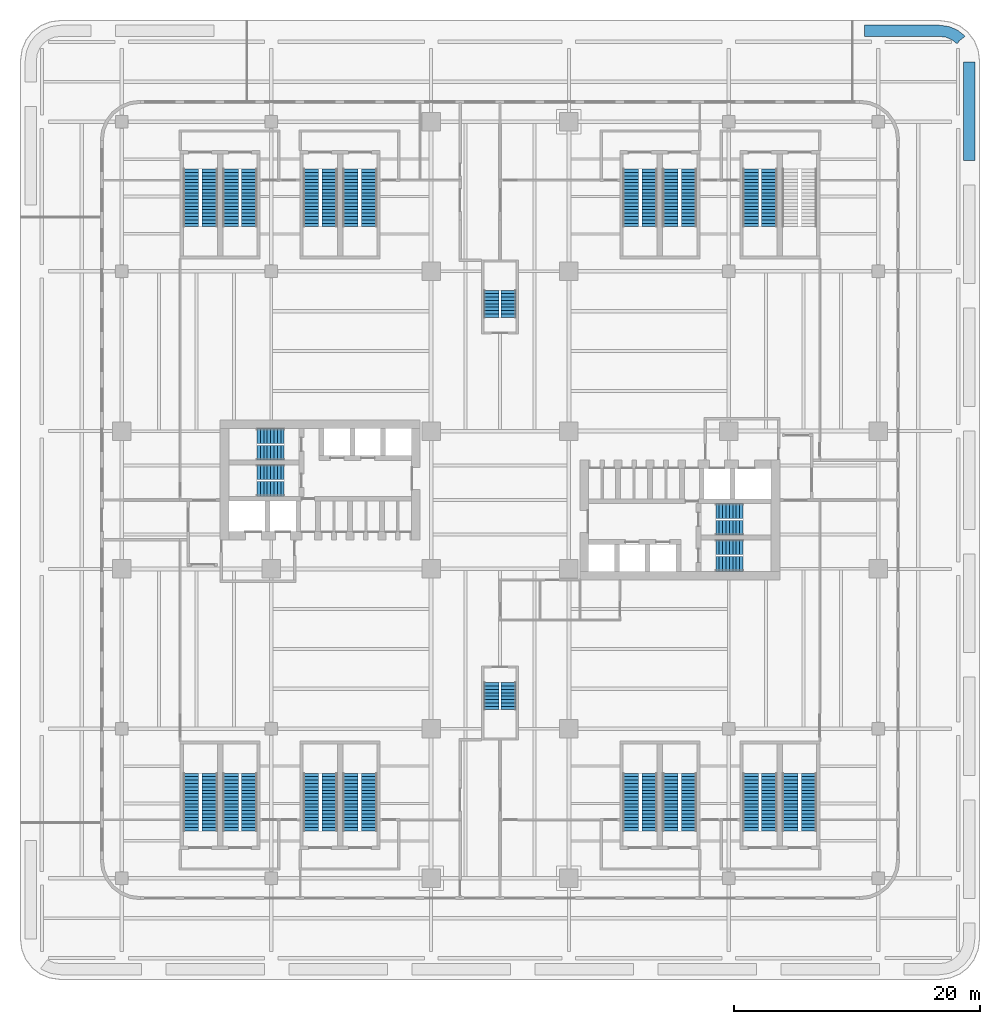
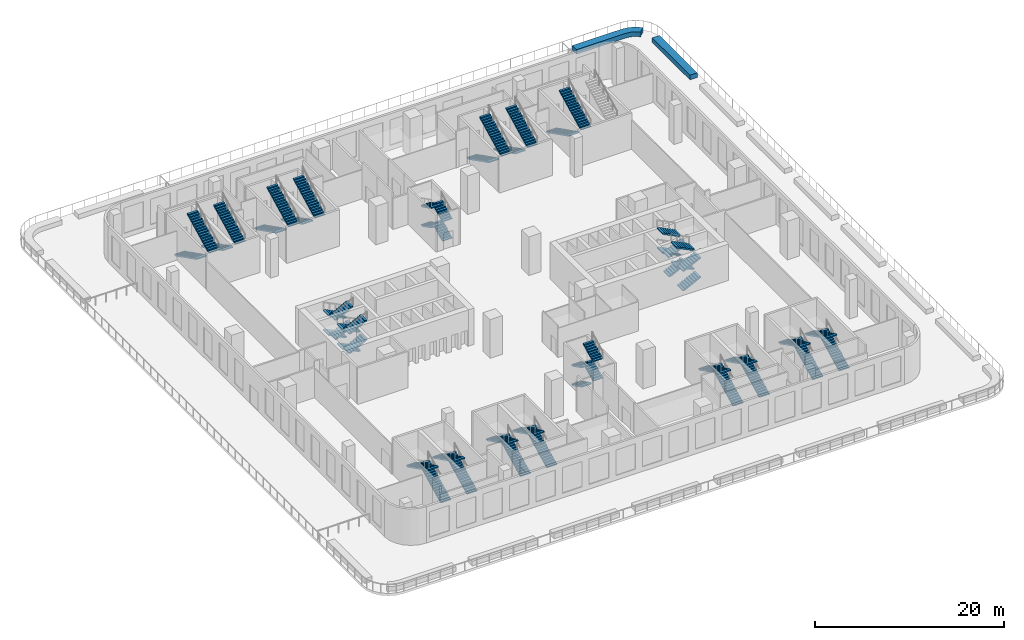
# One storey, part 14 of 17: 54 stair flights, 2 walls, 21 elements without a shape of their own.
"""IFC4 building model written with IfcOpenShell, lengths in metres."""

from ifc_helpers import new_model, si_unit, direction, frame, origin, place, context, subcontext, project, spatial, polyline, outline, extrude, source, transform, mapped, material, layer, layer_set, type_object, element, aggregate, save


model = new_model("IFC4")

# Units and contexts
model_context = context("Model", 3, precision=1e-05, world=origin(), true_north=direction((0.0, 1.0)))
body_context = subcontext(model_context, "Body", "Model", "MODEL_VIEW")
ifc_project = project(units=[si_unit("LENGTHUNIT", "METRE"), si_unit("AREAUNIT", "SQUARE_METRE"), si_unit("VOLUMEUNIT", "CUBIC_METRE"), si_unit("PLANEANGLEUNIT", "RADIAN"), si_unit("MASSUNIT", "GRAM", prefix="KILO")], contexts=[model_context])

# Site, building, storey
site_placement = place(None, origin())
site = spatial("IfcSite", under=ifc_project, at=site_placement, CompositionType="ELEMENT")
building_placement = place(site_placement, origin())
building = spatial("IfcBuilding", under=site, at=building_placement, Name="Trellis Farm Tower", CompositionType="ELEMENT")
storey_placement = place(building_placement, frame((0.0, 0.0, 24.0)))
storey = spatial("IfcBuildingStorey", under=building, at=storey_placement, Name="L04", CompositionType="ELEMENT", Elevation=24.0)

# Walls
ifc_material_1 = material(Name="Sandstone faced masonry planter", Category="masonry")
ifc_layer = layer(ifc_material_1, 0.89990234375)
ifc_layer_set = layer_set([ifc_layer], Name="TERRACE PLANTER BED 900")
wall_type = type_object("IfcWallType", Name="TERRACE PLANTER BED 900", PredefinedType="USERDEFINED", material=ifc_layer_set)
placement = place(storey_placement, origin())
element("IfcWall", 1, at=placement, inside=storey, type_object=wall_type, Name="PLANTER bed", ObjectType="PLANTER", PredefinedType="USERDEFINED", context=body_context, shape_type="SweptSolid", body=[
    extrude(outline(polyline([(36.48681640625, 38.49951171875), (37.17333984375, 38.215087890625), (37.7626953125, 37.7626953125), (37.814453125, 37.6953125), (37.28173828125, 37.28662109375), (37.304931640625, 37.263427734375), (37.16796875, 37.0849609375), (36.719482421875, 37.428955078125), (36.251708984375, 37.622802734375), (35.664794921875, 37.699951171875), (29.64990234375, 37.699951171875), (29.64990234375, 38.60009765625), (35.723876953125, 38.60009765625), (36.48681640625, 38.49951171875)])), origin(), (0.0, 0.0, 1.0), 0.60009765625),
])
element("IfcWall", 2, at=placement, inside=storey, type_object=wall_type, Name="PLANTER bed", ObjectType="PLANTER", PredefinedType="USERDEFINED", context=body_context, shape_type="SweptSolid", body=[
    extrude(outline(polyline([(37.699951171875, 27.5986328125), (37.699951171875, 35.5986328125), (38.60009765625, 35.5986328125), (38.60009765625, 27.5986328125), (37.699951171875, 27.5986328125)])), origin(), (0.0, 0.0, 1.0), 0.60009765625),
])

# Stair, stair flights
ifc_material_2 = material(Name="Concrete C50/60", Category="concrete")
stair_type_1 = type_object("IfcStairType", Name="CORE EXIT STAIR 36 RISERS 139 MM", PredefinedType="HALF_TURN_STAIR", material=ifc_material_2)
stair_1 = element("IfcStair", 3, at=placement, inside=storey, type_object=stair_type_1, Name="Exit stair N", PredefinedType="HALF_TURN_STAIR")
stair_flight_type_1 = type_object("IfcStairFlightType", Name="STAIR FLIGHT 9 RISERS 139 MM", PredefinedType="STRAIGHT", material=ifc_material_2)
shared_shape_1 = source(origin(), body_context, "Body", "SweptSolid", [
    extrude(outline(polyline([(0.0, 0.0), (0.0, 0.138916015625), (0.27490234375, 0.138916015625), (0.27490234375, 0.27783203125), (0.550048828125, 0.27783203125), (0.550048828125, 0.416748046875), (0.824951171875, 0.416748046875), (0.824951171875, 0.5556640625), (1.10009765625, 0.5556640625), (1.10009765625, 0.6943359375), (1.375, 0.6943359375), (1.375, 0.833251953125), (1.64990234375, 0.833251953125), (1.64990234375, 0.97216796875), (1.925048828125, 0.97216796875), (1.925048828125, 1.111083984375), (2.199951171875, 1.111083984375), (2.199951171875, 1.25), (2.199951171875, 0.965576171875), (0.2880859375, 0.0), (0.0, 0.0)])), frame((0.0, 0.60009765625, 0.0), z_axis=(0.0, -1.0, 0.0), x_axis=(1.0, 0.0, 0.0)), (0.0, 0.0, 1.0), 1.199951171875),
])
stair_flight_1_placement = place(storey_placement, frame((0.699951171875, 14.85009765625, 0.0), z_axis=(0.0, 0.0, 1.0), x_axis=(0.0, 1.0, 0.0)))
stair_flight_1 = element("IfcStairFlight", 4, at=stair_flight_1_placement, type_object=stair_flight_type_1, Name="STN flight 1", NumberOfRisers=9, NumberOfTreads=8, PredefinedType="STRAIGHT", RiserHeight=0.138888889, TreadLength=0.275, context=body_context, shape_type="MappedRepresentation", body=[
    mapped(shared_shape_1, transform((0.0, 0.0, 0.0))),
])
stair_flight_2_placement = place(storey_placement, frame((-0.699951171875, 17.050048828125, 1.25), z_axis=(0.0, 0.0, 1.0), x_axis=(0.0, -1.0, 0.0)))
stair_flight_2 = element("IfcStairFlight", 5, at=stair_flight_2_placement, type_object=stair_flight_type_1, Name="STN flight 2", NumberOfRisers=9, NumberOfTreads=8, PredefinedType="STRAIGHT", RiserHeight=0.138888889, TreadLength=0.275, context=body_context, shape_type="MappedRepresentation", body=[
    mapped(shared_shape_1, transform((0.0, 0.0, 0.0))),
])
stair_flight_3_placement = place(storey_placement, frame((0.699951171875, 14.85009765625, 2.5), z_axis=(0.0, 0.0, 1.0), x_axis=(0.0, 1.0, 0.0)))
stair_flight_3 = element("IfcStairFlight", 6, at=stair_flight_3_placement, type_object=stair_flight_type_1, Name="STN flight 3", NumberOfRisers=9, NumberOfTreads=8, PredefinedType="STRAIGHT", RiserHeight=0.138888889, TreadLength=0.275, context=body_context, shape_type="MappedRepresentation", body=[
    mapped(shared_shape_1, transform((0.0, 0.0, 0.0))),
])
stair_flight_4_placement = place(storey_placement, frame((-0.699951171875, 17.050048828125, 3.75), z_axis=(0.0, 0.0, 1.0), x_axis=(0.0, -1.0, 0.0)))
stair_flight_4 = element("IfcStairFlight", 7, at=stair_flight_4_placement, type_object=stair_flight_type_1, Name="STN flight 4", NumberOfRisers=9, NumberOfTreads=8, PredefinedType="STRAIGHT", RiserHeight=0.138888889, TreadLength=0.275, context=body_context, shape_type="MappedRepresentation", body=[
    mapped(shared_shape_1, transform((0.0, 0.0, 0.0))),
])
aggregate(stair_1, [stair_flight_1, stair_flight_2, stair_flight_3, stair_flight_4])

stair_2 = element("IfcStair", 8, at=placement, inside=storey, type_object=stair_type_1, Name="Exit stair S", PredefinedType="HALF_TURN_STAIR")
stair_flight_5_placement = place(storey_placement, frame((-0.699951171875, -14.85009765625, 0.0), z_axis=(0.0, 0.0, 1.0), x_axis=(0.0, -1.0, 0.0)))
stair_flight_5 = element("IfcStairFlight", 9, at=stair_flight_5_placement, type_object=stair_flight_type_1, Name="STS flight 1", NumberOfRisers=9, NumberOfTreads=8, PredefinedType="STRAIGHT", RiserHeight=0.138888889, TreadLength=0.275, context=body_context, shape_type="MappedRepresentation", body=[
    mapped(shared_shape_1, transform((0.0, 0.0, 0.0))),
])
stair_flight_6_placement = place(storey_placement, frame((0.699951171875, -17.050048828125, 1.25), z_axis=(0.0, 0.0, 1.0), x_axis=(0.0, 1.0, 0.0)))
stair_flight_6 = element("IfcStairFlight", 10, at=stair_flight_6_placement, type_object=stair_flight_type_1, Name="STS flight 2", NumberOfRisers=9, NumberOfTreads=8, PredefinedType="STRAIGHT", RiserHeight=0.138888889, TreadLength=0.275, context=body_context, shape_type="MappedRepresentation", body=[
    mapped(shared_shape_1, transform((0.0, 0.0, 0.0))),
])
stair_flight_7_placement = place(storey_placement, frame((-0.699951171875, -14.85009765625, 2.5), z_axis=(0.0, 0.0, 1.0), x_axis=(0.0, -1.0, 0.0)))
stair_flight_7 = element("IfcStairFlight", 11, at=stair_flight_7_placement, type_object=stair_flight_type_1, Name="STS flight 3", NumberOfRisers=9, NumberOfTreads=8, PredefinedType="STRAIGHT", RiserHeight=0.138888889, TreadLength=0.275, context=body_context, shape_type="MappedRepresentation", body=[
    mapped(shared_shape_1, transform((0.0, 0.0, 0.0))),
])
stair_flight_8_placement = place(storey_placement, frame((0.699951171875, -17.050048828125, 3.75), z_axis=(0.0, 0.0, 1.0), x_axis=(0.0, 1.0, 0.0)))
stair_flight_8 = element("IfcStairFlight", 12, at=stair_flight_8_placement, type_object=stair_flight_type_1, Name="STS flight 4", NumberOfRisers=9, NumberOfTreads=8, PredefinedType="STRAIGHT", RiserHeight=0.138888889, TreadLength=0.275, context=body_context, shape_type="MappedRepresentation", body=[
    mapped(shared_shape_1, transform((0.0, 0.0, 0.0))),
])
aggregate(stair_2, [stair_flight_5, stair_flight_6, stair_flight_7, stair_flight_8])

stair_3 = element("IfcStair", 13, at=placement, inside=storey, type_object=stair_type_1, Name="Exit stair E1", PredefinedType="HALF_TURN_STAIR")
stair_flight_9_placement = place(storey_placement, frame((17.550048828125, -5.199951171875, 0.0), z_axis=(0.0, 0.0, 1.0), x_axis=(1.0, 0.0, 0.0)))
stair_flight_9 = element("IfcStairFlight", 14, at=stair_flight_9_placement, type_object=stair_flight_type_1, Name="STE1 flight 1", NumberOfRisers=9, NumberOfTreads=8, PredefinedType="STRAIGHT", RiserHeight=0.138888889, TreadLength=0.275, context=body_context, shape_type="MappedRepresentation", body=[
    mapped(shared_shape_1, transform((0.0, 0.0, 0.0))),
])
stair_flight_10_placement = place(storey_placement, frame((19.75, -3.85009765625, 1.25), z_axis=(0.0, 0.0, 1.0), x_axis=(-1.0, 0.0, 0.0)))
stair_flight_10 = element("IfcStairFlight", 15, at=stair_flight_10_placement, type_object=stair_flight_type_1, Name="STE1 flight 2", NumberOfRisers=9, NumberOfTreads=8, PredefinedType="STRAIGHT", RiserHeight=0.138888889, TreadLength=0.275, context=body_context, shape_type="MappedRepresentation", body=[
    mapped(shared_shape_1, transform((0.0, 0.0, 0.0))),
])
stair_flight_11_placement = place(storey_placement, frame((17.550048828125, -5.199951171875, 2.5), z_axis=(0.0, 0.0, 1.0), x_axis=(1.0, 0.0, 0.0)))
stair_flight_11 = element("IfcStairFlight", 16, at=stair_flight_11_placement, type_object=stair_flight_type_1, Name="STE1 flight 3", NumberOfRisers=9, NumberOfTreads=8, PredefinedType="STRAIGHT", RiserHeight=0.138888889, TreadLength=0.275, context=body_context, shape_type="MappedRepresentation", body=[
    mapped(shared_shape_1, transform((0.0, 0.0, 0.0))),
])
stair_flight_12_placement = place(storey_placement, frame((19.75, -3.85009765625, 3.75), z_axis=(0.0, 0.0, 1.0), x_axis=(-1.0, 0.0, 0.0)))
stair_flight_12 = element("IfcStairFlight", 17, at=stair_flight_12_placement, type_object=stair_flight_type_1, Name="STE1 flight 4", NumberOfRisers=9, NumberOfTreads=8, PredefinedType="STRAIGHT", RiserHeight=0.138888889, TreadLength=0.275, context=body_context, shape_type="MappedRepresentation", body=[
    mapped(shared_shape_1, transform((0.0, 0.0, 0.0))),
])
aggregate(stair_3, [stair_flight_9, stair_flight_10, stair_flight_11, stair_flight_12])

stair_4 = element("IfcStair", 18, at=placement, inside=storey, type_object=stair_type_1, Name="Exit stair E2", PredefinedType="HALF_TURN_STAIR")
stair_flight_13_placement = place(storey_placement, frame((17.550048828125, -2.25, 0.0), z_axis=(0.0, 0.0, 1.0), x_axis=(1.0, 0.0, 0.0)))
stair_flight_13 = element("IfcStairFlight", 19, at=stair_flight_13_placement, type_object=stair_flight_type_1, Name="STE2 flight 1", NumberOfRisers=9, NumberOfTreads=8, PredefinedType="STRAIGHT", RiserHeight=0.138888889, TreadLength=0.275, context=body_context, shape_type="MappedRepresentation", body=[
    mapped(shared_shape_1, transform((0.0, 0.0, 0.0))),
])
stair_flight_14_placement = place(storey_placement, frame((19.75, -0.89990234375, 1.25), z_axis=(0.0, 0.0, 1.0), x_axis=(-1.0, 0.0, 0.0)))
stair_flight_14 = element("IfcStairFlight", 20, at=stair_flight_14_placement, type_object=stair_flight_type_1, Name="STE2 flight 2", NumberOfRisers=9, NumberOfTreads=8, PredefinedType="STRAIGHT", RiserHeight=0.138888889, TreadLength=0.275, context=body_context, shape_type="MappedRepresentation", body=[
    mapped(shared_shape_1, transform((0.0, 0.0, 0.0))),
])
stair_flight_15_placement = place(storey_placement, frame((17.550048828125, -2.25, 2.5), z_axis=(0.0, 0.0, 1.0), x_axis=(1.0, 0.0, 0.0)))
stair_flight_15 = element("IfcStairFlight", 21, at=stair_flight_15_placement, type_object=stair_flight_type_1, Name="STE2 flight 3", NumberOfRisers=9, NumberOfTreads=8, PredefinedType="STRAIGHT", RiserHeight=0.138888889, TreadLength=0.275, context=body_context, shape_type="MappedRepresentation", body=[
    mapped(shared_shape_1, transform((0.0, 0.0, 0.0))),
])
stair_flight_16_placement = place(storey_placement, frame((19.75, -0.89990234375, 3.75), z_axis=(0.0, 0.0, 1.0), x_axis=(-1.0, 0.0, 0.0)))
stair_flight_16 = element("IfcStairFlight", 22, at=stair_flight_16_placement, type_object=stair_flight_type_1, Name="STE2 flight 4", NumberOfRisers=9, NumberOfTreads=8, PredefinedType="STRAIGHT", RiserHeight=0.138888889, TreadLength=0.275, context=body_context, shape_type="MappedRepresentation", body=[
    mapped(shared_shape_1, transform((0.0, 0.0, 0.0))),
])
aggregate(stair_4, [stair_flight_13, stair_flight_14, stair_flight_15, stair_flight_16])

stair_5 = element("IfcStair", 23, at=placement, inside=storey, type_object=stair_type_1, Name="Exit stair W1", PredefinedType="HALF_TURN_STAIR")
stair_flight_17_placement = place(storey_placement, frame((-17.550048828125, 5.199951171875, 0.0), z_axis=(0.0, 0.0, 1.0), x_axis=(-1.0, 0.0, 0.0)))
stair_flight_17 = element("IfcStairFlight", 24, at=stair_flight_17_placement, type_object=stair_flight_type_1, Name="STW1 flight 1", NumberOfRisers=9, NumberOfTreads=8, PredefinedType="STRAIGHT", RiserHeight=0.138888889, TreadLength=0.275, context=body_context, shape_type="MappedRepresentation", body=[
    mapped(shared_shape_1, transform((0.0, 0.0, 0.0))),
])
stair_flight_18_placement = place(storey_placement, frame((-19.75, 3.85009765625, 1.25), z_axis=(0.0, 0.0, 1.0), x_axis=(1.0, 0.0, 0.0)))
stair_flight_18 = element("IfcStairFlight", 25, at=stair_flight_18_placement, type_object=stair_flight_type_1, Name="STW1 flight 2", NumberOfRisers=9, NumberOfTreads=8, PredefinedType="STRAIGHT", RiserHeight=0.138888889, TreadLength=0.275, context=body_context, shape_type="MappedRepresentation", body=[
    mapped(shared_shape_1, transform((0.0, 0.0, 0.0))),
])
stair_flight_19_placement = place(storey_placement, frame((-17.550048828125, 5.199951171875, 2.5), z_axis=(0.0, 0.0, 1.0), x_axis=(-1.0, 0.0, 0.0)))
stair_flight_19 = element("IfcStairFlight", 26, at=stair_flight_19_placement, type_object=stair_flight_type_1, Name="STW1 flight 3", NumberOfRisers=9, NumberOfTreads=8, PredefinedType="STRAIGHT", RiserHeight=0.138888889, TreadLength=0.275, context=body_context, shape_type="MappedRepresentation", body=[
    mapped(shared_shape_1, transform((0.0, 0.0, 0.0))),
])
stair_flight_20_placement = place(storey_placement, frame((-19.75, 3.85009765625, 3.75), z_axis=(0.0, 0.0, 1.0), x_axis=(1.0, 0.0, 0.0)))
stair_flight_20 = element("IfcStairFlight", 27, at=stair_flight_20_placement, type_object=stair_flight_type_1, Name="STW1 flight 4", NumberOfRisers=9, NumberOfTreads=8, PredefinedType="STRAIGHT", RiserHeight=0.138888889, TreadLength=0.275, context=body_context, shape_type="MappedRepresentation", body=[
    mapped(shared_shape_1, transform((0.0, 0.0, 0.0))),
])
aggregate(stair_5, [stair_flight_17, stair_flight_18, stair_flight_19, stair_flight_20])

stair_6 = element("IfcStair", 28, at=placement, inside=storey, type_object=stair_type_1, Name="Exit stair W2", PredefinedType="HALF_TURN_STAIR")
stair_flight_21_placement = place(storey_placement, frame((-17.550048828125, 2.25, 0.0), z_axis=(0.0, 0.0, 1.0), x_axis=(-1.0, 0.0, 0.0)))
stair_flight_21 = element("IfcStairFlight", 29, at=stair_flight_21_placement, type_object=stair_flight_type_1, Name="STW2 flight 1", NumberOfRisers=9, NumberOfTreads=8, PredefinedType="STRAIGHT", RiserHeight=0.138888889, TreadLength=0.275, context=body_context, shape_type="MappedRepresentation", body=[
    mapped(shared_shape_1, transform((0.0, 0.0, 0.0))),
])
stair_flight_22_placement = place(storey_placement, frame((-19.75, 0.89990234375, 1.25), z_axis=(0.0, 0.0, 1.0), x_axis=(1.0, 0.0, 0.0)))
stair_flight_22 = element("IfcStairFlight", 30, at=stair_flight_22_placement, type_object=stair_flight_type_1, Name="STW2 flight 2", NumberOfRisers=9, NumberOfTreads=8, PredefinedType="STRAIGHT", RiserHeight=0.138888889, TreadLength=0.275, context=body_context, shape_type="MappedRepresentation", body=[
    mapped(shared_shape_1, transform((0.0, 0.0, 0.0))),
])
stair_flight_23_placement = place(storey_placement, frame((-17.550048828125, 2.25, 2.5), z_axis=(0.0, 0.0, 1.0), x_axis=(-1.0, 0.0, 0.0)))
stair_flight_23 = element("IfcStairFlight", 31, at=stair_flight_23_placement, type_object=stair_flight_type_1, Name="STW2 flight 3", NumberOfRisers=9, NumberOfTreads=8, PredefinedType="STRAIGHT", RiserHeight=0.138888889, TreadLength=0.275, context=body_context, shape_type="MappedRepresentation", body=[
    mapped(shared_shape_1, transform((0.0, 0.0, 0.0))),
])
stair_flight_24_placement = place(storey_placement, frame((-19.75, 0.89990234375, 3.75), z_axis=(0.0, 0.0, 1.0), x_axis=(1.0, 0.0, 0.0)))
stair_flight_24 = element("IfcStairFlight", 32, at=stair_flight_24_placement, type_object=stair_flight_type_1, Name="STW2 flight 4", NumberOfRisers=9, NumberOfTreads=8, PredefinedType="STRAIGHT", RiserHeight=0.138888889, TreadLength=0.275, context=body_context, shape_type="MappedRepresentation", body=[
    mapped(shared_shape_1, transform((0.0, 0.0, 0.0))),
])
aggregate(stair_6, [stair_flight_21, stair_flight_22, stair_flight_23, stair_flight_24])

stair_type_2 = type_object("IfcStairType", Name="PODIUM EXIT STAIR 36 RISERS 139 MM 1250 WIDE", PredefinedType="HALF_TURN_STAIR", material=ifc_material_2)
stair_7 = element("IfcStair", 33, at=placement, inside=storey, type_object=stair_type_2, Name="Podium exit stair STP1A", PredefinedType="HALF_TURN_STAIR")
stair_flight_type_2 = type_object("IfcStairFlightType", Name="PODIUM STAIR FLIGHT 18 RISERS 139 MM 1250 WIDE", PredefinedType="STRAIGHT", material=ifc_material_2)
shared_shape_2 = source(origin(), body_context, "Body", "SweptSolid", [
    extrude(outline(polyline([(0.0, 0.0), (0.0, 0.138916015625), (0.27490234375, 0.138916015625), (0.27490234375, 0.27783203125), (0.550048828125, 0.27783203125), (0.550048828125, 0.416748046875), (0.824951171875, 0.416748046875), (0.824951171875, 0.5556640625), (1.10009765625, 0.5556640625), (1.10009765625, 0.6943359375), (1.375, 0.6943359375), (1.375, 0.833251953125), (1.64990234375, 0.833251953125), (1.64990234375, 0.97216796875), (1.925048828125, 0.97216796875), (1.925048828125, 1.111083984375), (2.199951171875, 1.111083984375), (2.199951171875, 1.25), (2.47509765625, 1.25), (2.47509765625, 1.388916015625), (2.75, 1.388916015625), (2.75, 1.52783203125), (3.02490234375, 1.52783203125), (3.02490234375, 1.666748046875), (3.300048828125, 1.666748046875), (3.300048828125, 1.8056640625), (3.574951171875, 1.8056640625), (3.574951171875, 1.9443359375), (3.85009765625, 1.9443359375), (3.85009765625, 2.083251953125), (4.125, 2.083251953125), (4.125, 2.22216796875), (4.39990234375, 2.22216796875), (4.39990234375, 2.361083984375), (4.675048828125, 2.361083984375), (4.675048828125, 2.5), (4.675048828125, 2.215576171875), (0.2880859375, 0.0), (0.0, 0.0)])), frame((0.0, 0.625, 0.0), z_axis=(0.0, -1.0, 0.0), x_axis=(1.0, 0.0, 0.0)), (0.0, 0.0, 1.0), 1.25),
])
stair_flight_25_placement = place(storey_placement, frame((-25.125, 26.89990234375, 0.0), z_axis=(0.0, 0.0, 1.0), x_axis=(0.0, -1.0, 0.0)))
stair_flight_25 = element("IfcStairFlight", 34, at=stair_flight_25_placement, type_object=stair_flight_type_2, Name="STP1A flight 1", NumberOfRisers=18, NumberOfTreads=17, PredefinedType="STRAIGHT", RiserHeight=0.138888889, TreadLength=0.275, context=body_context, shape_type="MappedRepresentation", body=[
    mapped(shared_shape_2, transform((0.0, 0.0, 0.0))),
])
stair_flight_26_placement = place(storey_placement, frame((-23.594970703125, 22.22509765625, 2.5), z_axis=(0.0, 0.0, 1.0), x_axis=(0.0, 1.0, 0.0)))
stair_flight_26 = element("IfcStairFlight", 35, at=stair_flight_26_placement, type_object=stair_flight_type_2, Name="STP1A flight 2", NumberOfRisers=18, NumberOfTreads=17, PredefinedType="STRAIGHT", RiserHeight=0.138888889, TreadLength=0.275, context=body_context, shape_type="MappedRepresentation", body=[
    mapped(shared_shape_2, transform((0.0, 0.0, 0.0))),
])
aggregate(stair_7, [stair_flight_25, stair_flight_26])

stair_8 = element("IfcStair", 36, at=placement, inside=storey, type_object=stair_type_2, Name="Podium exit stair STP1B", PredefinedType="HALF_TURN_STAIR")
stair_flight_27_placement = place(storey_placement, frame((-21.905029296875, 26.89990234375, 0.0), z_axis=(0.0, 0.0, 1.0), x_axis=(0.0, -1.0, 0.0)))
stair_flight_27 = element("IfcStairFlight", 37, at=stair_flight_27_placement, type_object=stair_flight_type_2, Name="STP1B flight 1", NumberOfRisers=18, NumberOfTreads=17, PredefinedType="STRAIGHT", RiserHeight=0.138888889, TreadLength=0.275, context=body_context, shape_type="MappedRepresentation", body=[
    mapped(shared_shape_2, transform((0.0, 0.0, 0.0))),
])
stair_flight_28_placement = place(storey_placement, frame((-20.375, 22.22509765625, 2.5), z_axis=(0.0, 0.0, 1.0), x_axis=(0.0, 1.0, 0.0)))
stair_flight_28 = element("IfcStairFlight", 38, at=stair_flight_28_placement, type_object=stair_flight_type_2, Name="STP1B flight 2", NumberOfRisers=18, NumberOfTreads=17, PredefinedType="STRAIGHT", RiserHeight=0.138888889, TreadLength=0.275, context=body_context, shape_type="MappedRepresentation", body=[
    mapped(shared_shape_2, transform((0.0, 0.0, 0.0))),
])
aggregate(stair_8, [stair_flight_27, stair_flight_28])

stair_9 = element("IfcStair", 39, at=placement, inside=storey, type_object=stair_type_2, Name="Podium exit stair STP2A", PredefinedType="HALF_TURN_STAIR")
stair_flight_29_placement = place(storey_placement, frame((-15.375, 26.89990234375, 0.0), z_axis=(0.0, 0.0, 1.0), x_axis=(0.0, -1.0, 0.0)))
stair_flight_29 = element("IfcStairFlight", 40, at=stair_flight_29_placement, type_object=stair_flight_type_2, Name="STP2A flight 1", NumberOfRisers=18, NumberOfTreads=17, PredefinedType="STRAIGHT", RiserHeight=0.138888889, TreadLength=0.275, context=body_context, shape_type="MappedRepresentation", body=[
    mapped(shared_shape_2, transform((0.0, 0.0, 0.0))),
])
stair_flight_30_placement = place(storey_placement, frame((-13.844970703125, 22.22509765625, 2.5), z_axis=(0.0, 0.0, 1.0), x_axis=(0.0, 1.0, 0.0)))
stair_flight_30 = element("IfcStairFlight", 41, at=stair_flight_30_placement, type_object=stair_flight_type_2, Name="STP2A flight 2", NumberOfRisers=18, NumberOfTreads=17, PredefinedType="STRAIGHT", RiserHeight=0.138888889, TreadLength=0.275, context=body_context, shape_type="MappedRepresentation", body=[
    mapped(shared_shape_2, transform((0.0, 0.0, 0.0))),
])
aggregate(stair_9, [stair_flight_29, stair_flight_30])

stair_10 = element("IfcStair", 42, at=placement, inside=storey, type_object=stair_type_2, Name="Podium exit stair STP2B", PredefinedType="HALF_TURN_STAIR")
stair_flight_31_placement = place(storey_placement, frame((-12.155029296875, 26.89990234375, 0.0), z_axis=(0.0, 0.0, 1.0), x_axis=(0.0, -1.0, 0.0)))
stair_flight_31 = element("IfcStairFlight", 43, at=stair_flight_31_placement, type_object=stair_flight_type_2, Name="STP2B flight 1", NumberOfRisers=18, NumberOfTreads=17, PredefinedType="STRAIGHT", RiserHeight=0.138888889, TreadLength=0.275, context=body_context, shape_type="MappedRepresentation", body=[
    mapped(shared_shape_2, transform((0.0, 0.0, 0.0))),
])
stair_flight_32_placement = place(storey_placement, frame((-10.625, 22.22509765625, 2.5), z_axis=(0.0, 0.0, 1.0), x_axis=(0.0, 1.0, 0.0)))
stair_flight_32 = element("IfcStairFlight", 44, at=stair_flight_32_placement, type_object=stair_flight_type_2, Name="STP2B flight 2", NumberOfRisers=18, NumberOfTreads=17, PredefinedType="STRAIGHT", RiserHeight=0.138888889, TreadLength=0.275, context=body_context, shape_type="MappedRepresentation", body=[
    mapped(shared_shape_2, transform((0.0, 0.0, 0.0))),
])
aggregate(stair_10, [stair_flight_31, stair_flight_32])

stair_11 = element("IfcStair", 45, at=placement, inside=storey, type_object=stair_type_2, Name="Podium exit stair STP3A", PredefinedType="HALF_TURN_STAIR")
stair_flight_33_placement = place(storey_placement, frame((10.625, 26.89990234375, 0.0), z_axis=(0.0, 0.0, 1.0), x_axis=(0.0, -1.0, 0.0)))
stair_flight_33 = element("IfcStairFlight", 46, at=stair_flight_33_placement, type_object=stair_flight_type_2, Name="STP3A flight 1", NumberOfRisers=18, NumberOfTreads=17, PredefinedType="STRAIGHT", RiserHeight=0.138888889, TreadLength=0.275, context=body_context, shape_type="MappedRepresentation", body=[
    mapped(shared_shape_2, transform((0.0, 0.0, 0.0))),
])
stair_flight_34_placement = place(storey_placement, frame((12.155029296875, 22.22509765625, 2.5), z_axis=(0.0, 0.0, 1.0), x_axis=(0.0, 1.0, 0.0)))
stair_flight_34 = element("IfcStairFlight", 47, at=stair_flight_34_placement, type_object=stair_flight_type_2, Name="STP3A flight 2", NumberOfRisers=18, NumberOfTreads=17, PredefinedType="STRAIGHT", RiserHeight=0.138888889, TreadLength=0.275, context=body_context, shape_type="MappedRepresentation", body=[
    mapped(shared_shape_2, transform((0.0, 0.0, 0.0))),
])
aggregate(stair_11, [stair_flight_33, stair_flight_34])

stair_12 = element("IfcStair", 48, at=placement, inside=storey, type_object=stair_type_2, Name="Podium exit stair STP3B", PredefinedType="HALF_TURN_STAIR")
stair_flight_35_placement = place(storey_placement, frame((13.844970703125, 26.89990234375, 0.0), z_axis=(0.0, 0.0, 1.0), x_axis=(0.0, -1.0, 0.0)))
stair_flight_35 = element("IfcStairFlight", 49, at=stair_flight_35_placement, type_object=stair_flight_type_2, Name="STP3B flight 1", NumberOfRisers=18, NumberOfTreads=17, PredefinedType="STRAIGHT", RiserHeight=0.138888889, TreadLength=0.275, context=body_context, shape_type="MappedRepresentation", body=[
    mapped(shared_shape_2, transform((0.0, 0.0, 0.0))),
])
stair_flight_36_placement = place(storey_placement, frame((15.375, 22.22509765625, 2.5), z_axis=(0.0, 0.0, 1.0), x_axis=(0.0, 1.0, 0.0)))
stair_flight_36 = element("IfcStairFlight", 50, at=stair_flight_36_placement, type_object=stair_flight_type_2, Name="STP3B flight 2", NumberOfRisers=18, NumberOfTreads=17, PredefinedType="STRAIGHT", RiserHeight=0.138888889, TreadLength=0.275, context=body_context, shape_type="MappedRepresentation", body=[
    mapped(shared_shape_2, transform((0.0, 0.0, 0.0))),
])
aggregate(stair_12, [stair_flight_35, stair_flight_36])

stair_13 = element("IfcStair", 51, at=placement, inside=storey, type_object=stair_type_2, Name="Podium exit stair STP4A", PredefinedType="HALF_TURN_STAIR")
stair_flight_37_placement = place(storey_placement, frame((20.375, 26.89990234375, 0.0), z_axis=(0.0, 0.0, 1.0), x_axis=(0.0, -1.0, 0.0)))
stair_flight_37 = element("IfcStairFlight", 52, at=stair_flight_37_placement, type_object=stair_flight_type_2, Name="STP4A flight 1", NumberOfRisers=18, NumberOfTreads=17, PredefinedType="STRAIGHT", RiserHeight=0.138888889, TreadLength=0.275, context=body_context, shape_type="MappedRepresentation", body=[
    mapped(shared_shape_2, transform((0.0, 0.0, 0.0))),
])
stair_flight_38_placement = place(storey_placement, frame((21.905029296875, 22.22509765625, 2.5), z_axis=(0.0, 0.0, 1.0), x_axis=(0.0, 1.0, 0.0)))
stair_flight_38 = element("IfcStairFlight", 53, at=stair_flight_38_placement, type_object=stair_flight_type_2, Name="STP4A flight 2", NumberOfRisers=18, NumberOfTreads=17, PredefinedType="STRAIGHT", RiserHeight=0.138888889, TreadLength=0.275, context=body_context, shape_type="MappedRepresentation", body=[
    mapped(shared_shape_2, transform((0.0, 0.0, 0.0))),
])
aggregate(stair_13, [stair_flight_37, stair_flight_38])

stair_14 = element("IfcStair", 54, at=placement, inside=storey, type_object=stair_type_2, Name="Podium exit stair STP5A", PredefinedType="HALF_TURN_STAIR")
stair_flight_39_placement = place(storey_placement, frame((-23.594970703125, -26.89990234375, 0.0), z_axis=(0.0, 0.0, 1.0), x_axis=(0.0, 1.0, 0.0)))
stair_flight_39 = element("IfcStairFlight", 55, at=stair_flight_39_placement, type_object=stair_flight_type_2, Name="STP5A flight 1", NumberOfRisers=18, NumberOfTreads=17, PredefinedType="STRAIGHT", RiserHeight=0.138888889, TreadLength=0.275, context=body_context, shape_type="MappedRepresentation", body=[
    mapped(shared_shape_2, transform((0.0, 0.0, 0.0))),
])
stair_flight_40_placement = place(storey_placement, frame((-25.125, -22.22509765625, 2.5), z_axis=(0.0, 0.0, 1.0), x_axis=(0.0, -1.0, 0.0)))
stair_flight_40 = element("IfcStairFlight", 56, at=stair_flight_40_placement, type_object=stair_flight_type_2, Name="STP5A flight 2", NumberOfRisers=18, NumberOfTreads=17, PredefinedType="STRAIGHT", RiserHeight=0.138888889, TreadLength=0.275, context=body_context, shape_type="MappedRepresentation", body=[
    mapped(shared_shape_2, transform((0.0, 0.0, 0.0))),
])
aggregate(stair_14, [stair_flight_39, stair_flight_40])

stair_15 = element("IfcStair", 57, at=placement, inside=storey, type_object=stair_type_2, Name="Podium exit stair STP5B", PredefinedType="HALF_TURN_STAIR")
stair_flight_41_placement = place(storey_placement, frame((-20.375, -26.89990234375, 0.0), z_axis=(0.0, 0.0, 1.0), x_axis=(0.0, 1.0, 0.0)))
stair_flight_41 = element("IfcStairFlight", 58, at=stair_flight_41_placement, type_object=stair_flight_type_2, Name="STP5B flight 1", NumberOfRisers=18, NumberOfTreads=17, PredefinedType="STRAIGHT", RiserHeight=0.138888889, TreadLength=0.275, context=body_context, shape_type="MappedRepresentation", body=[
    mapped(shared_shape_2, transform((0.0, 0.0, 0.0))),
])
stair_flight_42_placement = place(storey_placement, frame((-21.905029296875, -22.22509765625, 2.5), z_axis=(0.0, 0.0, 1.0), x_axis=(0.0, -1.0, 0.0)))
stair_flight_42 = element("IfcStairFlight", 59, at=stair_flight_42_placement, type_object=stair_flight_type_2, Name="STP5B flight 2", NumberOfRisers=18, NumberOfTreads=17, PredefinedType="STRAIGHT", RiserHeight=0.138888889, TreadLength=0.275, context=body_context, shape_type="MappedRepresentation", body=[
    mapped(shared_shape_2, transform((0.0, 0.0, 0.0))),
])
aggregate(stair_15, [stair_flight_41, stair_flight_42])

stair_16 = element("IfcStair", 60, at=placement, inside=storey, type_object=stair_type_2, Name="Podium exit stair STP6A", PredefinedType="HALF_TURN_STAIR")
stair_flight_43_placement = place(storey_placement, frame((-13.844970703125, -26.89990234375, 0.0), z_axis=(0.0, 0.0, 1.0), x_axis=(0.0, 1.0, 0.0)))
stair_flight_43 = element("IfcStairFlight", 61, at=stair_flight_43_placement, type_object=stair_flight_type_2, Name="STP6A flight 1", NumberOfRisers=18, NumberOfTreads=17, PredefinedType="STRAIGHT", RiserHeight=0.138888889, TreadLength=0.275, context=body_context, shape_type="MappedRepresentation", body=[
    mapped(shared_shape_2, transform((0.0, 0.0, 0.0))),
])
stair_flight_44_placement = place(storey_placement, frame((-15.375, -22.22509765625, 2.5), z_axis=(0.0, 0.0, 1.0), x_axis=(0.0, -1.0, 0.0)))
stair_flight_44 = element("IfcStairFlight", 62, at=stair_flight_44_placement, type_object=stair_flight_type_2, Name="STP6A flight 2", NumberOfRisers=18, NumberOfTreads=17, PredefinedType="STRAIGHT", RiserHeight=0.138888889, TreadLength=0.275, context=body_context, shape_type="MappedRepresentation", body=[
    mapped(shared_shape_2, transform((0.0, 0.0, 0.0))),
])
aggregate(stair_16, [stair_flight_43, stair_flight_44])

stair_17 = element("IfcStair", 63, at=placement, inside=storey, type_object=stair_type_2, Name="Podium exit stair STP6B", PredefinedType="HALF_TURN_STAIR")
stair_flight_45_placement = place(storey_placement, frame((-10.625, -26.89990234375, 0.0), z_axis=(0.0, 0.0, 1.0), x_axis=(0.0, 1.0, 0.0)))
stair_flight_45 = element("IfcStairFlight", 64, at=stair_flight_45_placement, type_object=stair_flight_type_2, Name="STP6B flight 1", NumberOfRisers=18, NumberOfTreads=17, PredefinedType="STRAIGHT", RiserHeight=0.138888889, TreadLength=0.275, context=body_context, shape_type="MappedRepresentation", body=[
    mapped(shared_shape_2, transform((0.0, 0.0, 0.0))),
])
stair_flight_46_placement = place(storey_placement, frame((-12.155029296875, -22.22509765625, 2.5), z_axis=(0.0, 0.0, 1.0), x_axis=(0.0, -1.0, 0.0)))
stair_flight_46 = element("IfcStairFlight", 65, at=stair_flight_46_placement, type_object=stair_flight_type_2, Name="STP6B flight 2", NumberOfRisers=18, NumberOfTreads=17, PredefinedType="STRAIGHT", RiserHeight=0.138888889, TreadLength=0.275, context=body_context, shape_type="MappedRepresentation", body=[
    mapped(shared_shape_2, transform((0.0, 0.0, 0.0))),
])
aggregate(stair_17, [stair_flight_45, stair_flight_46])

stair_18 = element("IfcStair", 66, at=placement, inside=storey, type_object=stair_type_2, Name="Podium exit stair STP7A", PredefinedType="HALF_TURN_STAIR")
stair_flight_47_placement = place(storey_placement, frame((12.155029296875, -26.89990234375, 0.0), z_axis=(0.0, 0.0, 1.0), x_axis=(0.0, 1.0, 0.0)))
stair_flight_47 = element("IfcStairFlight", 67, at=stair_flight_47_placement, type_object=stair_flight_type_2, Name="STP7A flight 1", NumberOfRisers=18, NumberOfTreads=17, PredefinedType="STRAIGHT", RiserHeight=0.138888889, TreadLength=0.275, context=body_context, shape_type="MappedRepresentation", body=[
    mapped(shared_shape_2, transform((0.0, 0.0, 0.0))),
])
stair_flight_48_placement = place(storey_placement, frame((10.625, -22.22509765625, 2.5), z_axis=(0.0, 0.0, 1.0), x_axis=(0.0, -1.0, 0.0)))
stair_flight_48 = element("IfcStairFlight", 68, at=stair_flight_48_placement, type_object=stair_flight_type_2, Name="STP7A flight 2", NumberOfRisers=18, NumberOfTreads=17, PredefinedType="STRAIGHT", RiserHeight=0.138888889, TreadLength=0.275, context=body_context, shape_type="MappedRepresentation", body=[
    mapped(shared_shape_2, transform((0.0, 0.0, 0.0))),
])
aggregate(stair_18, [stair_flight_47, stair_flight_48])

stair_19 = element("IfcStair", 69, at=placement, inside=storey, type_object=stair_type_2, Name="Podium exit stair STP7B", PredefinedType="HALF_TURN_STAIR")
stair_flight_49_placement = place(storey_placement, frame((15.375, -26.89990234375, 0.0), z_axis=(0.0, 0.0, 1.0), x_axis=(0.0, 1.0, 0.0)))
stair_flight_49 = element("IfcStairFlight", 70, at=stair_flight_49_placement, type_object=stair_flight_type_2, Name="STP7B flight 1", NumberOfRisers=18, NumberOfTreads=17, PredefinedType="STRAIGHT", RiserHeight=0.138888889, TreadLength=0.275, context=body_context, shape_type="MappedRepresentation", body=[
    mapped(shared_shape_2, transform((0.0, 0.0, 0.0))),
])
stair_flight_50_placement = place(storey_placement, frame((13.844970703125, -22.22509765625, 2.5), z_axis=(0.0, 0.0, 1.0), x_axis=(0.0, -1.0, 0.0)))
stair_flight_50 = element("IfcStairFlight", 71, at=stair_flight_50_placement, type_object=stair_flight_type_2, Name="STP7B flight 2", NumberOfRisers=18, NumberOfTreads=17, PredefinedType="STRAIGHT", RiserHeight=0.138888889, TreadLength=0.275, context=body_context, shape_type="MappedRepresentation", body=[
    mapped(shared_shape_2, transform((0.0, 0.0, 0.0))),
])
aggregate(stair_19, [stair_flight_49, stair_flight_50])

stair_20 = element("IfcStair", 72, at=placement, inside=storey, type_object=stair_type_2, Name="Podium exit stair STP8A", PredefinedType="HALF_TURN_STAIR")
stair_flight_51_placement = place(storey_placement, frame((21.905029296875, -26.89990234375, 0.0), z_axis=(0.0, 0.0, 1.0), x_axis=(0.0, 1.0, 0.0)))
stair_flight_51 = element("IfcStairFlight", 73, at=stair_flight_51_placement, type_object=stair_flight_type_2, Name="STP8A flight 1", NumberOfRisers=18, NumberOfTreads=17, PredefinedType="STRAIGHT", RiserHeight=0.138888889, TreadLength=0.275, context=body_context, shape_type="MappedRepresentation", body=[
    mapped(shared_shape_2, transform((0.0, 0.0, 0.0))),
])
stair_flight_52_placement = place(storey_placement, frame((20.375, -22.22509765625, 2.5), z_axis=(0.0, 0.0, 1.0), x_axis=(0.0, -1.0, 0.0)))
stair_flight_52 = element("IfcStairFlight", 74, at=stair_flight_52_placement, type_object=stair_flight_type_2, Name="STP8A flight 2", NumberOfRisers=18, NumberOfTreads=17, PredefinedType="STRAIGHT", RiserHeight=0.138888889, TreadLength=0.275, context=body_context, shape_type="MappedRepresentation", body=[
    mapped(shared_shape_2, transform((0.0, 0.0, 0.0))),
])
aggregate(stair_20, [stair_flight_51, stair_flight_52])

stair_21 = element("IfcStair", 75, at=placement, inside=storey, type_object=stair_type_2, Name="Podium exit stair STP8B", PredefinedType="HALF_TURN_STAIR")
stair_flight_53_placement = place(storey_placement, frame((25.125, -26.89990234375, 0.0), z_axis=(0.0, 0.0, 1.0), x_axis=(0.0, 1.0, 0.0)))
stair_flight_53 = element("IfcStairFlight", 76, at=stair_flight_53_placement, type_object=stair_flight_type_2, Name="STP8B flight 1", NumberOfRisers=18, NumberOfTreads=17, PredefinedType="STRAIGHT", RiserHeight=0.138888889, TreadLength=0.275, context=body_context, shape_type="MappedRepresentation", body=[
    mapped(shared_shape_2, transform((0.0, 0.0, 0.0))),
])
stair_flight_54_placement = place(storey_placement, frame((23.594970703125, -22.22509765625, 2.5), z_axis=(0.0, 0.0, 1.0), x_axis=(0.0, -1.0, 0.0)))
stair_flight_54 = element("IfcStairFlight", 77, at=stair_flight_54_placement, type_object=stair_flight_type_2, Name="STP8B flight 2", NumberOfRisers=18, NumberOfTreads=17, PredefinedType="STRAIGHT", RiserHeight=0.138888889, TreadLength=0.275, context=body_context, shape_type="MappedRepresentation", body=[
    mapped(shared_shape_2, transform((0.0, 0.0, 0.0))),
])
aggregate(stair_21, [stair_flight_53, stair_flight_54])

save(model, "model.ifc")
